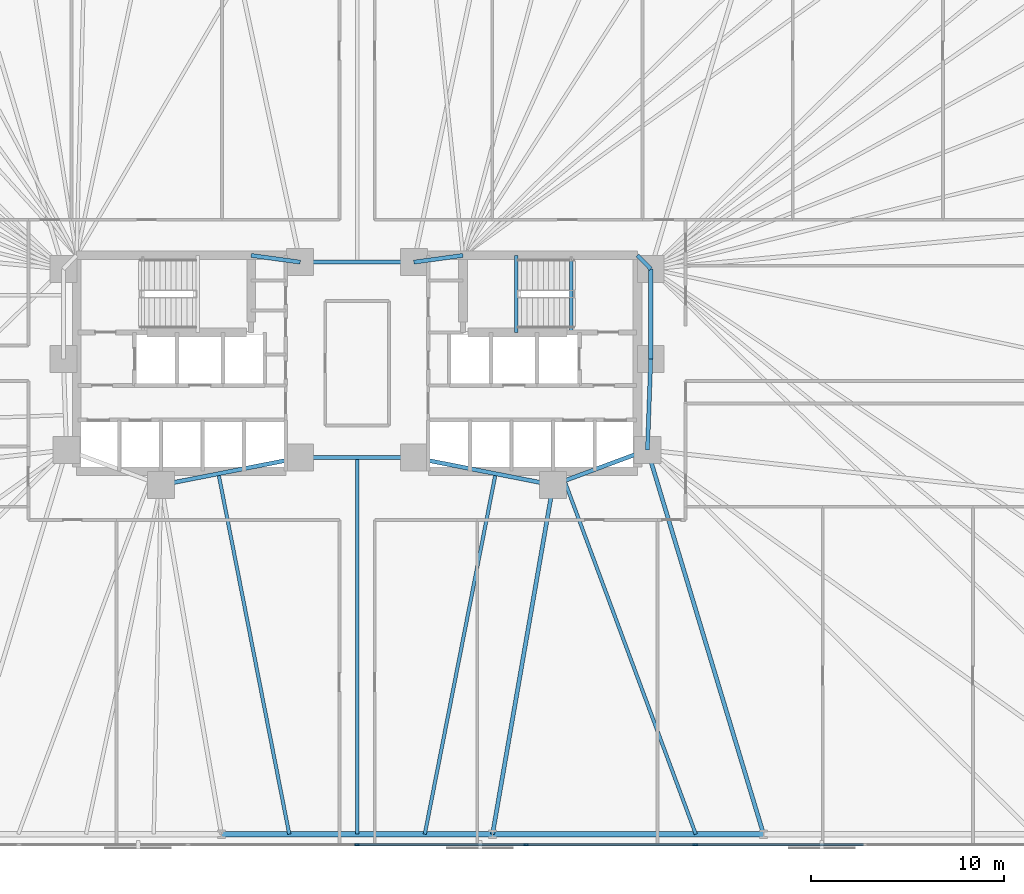
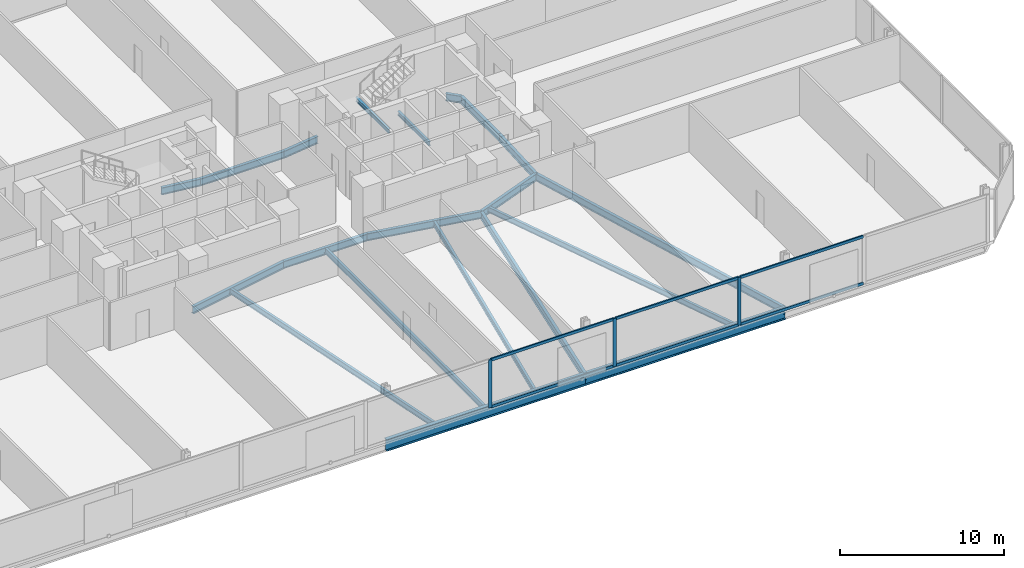
# One storey, part 7 of 17: 20 beams, 9 members, 1 element without a shape of its own.
"""IFC4 building model written with IfcOpenShell, lengths in metres."""

from ifc_helpers import new_model, si_unit, direction, frame, origin, origin_2d, place, context, subcontext, project, spatial, rectangle, i_section, extrude, material, material_profile, profile_set, type_object, element, aggregate, save


model = new_model("IFC4")

# Units and contexts
model_context = context("Model", 3, precision=1e-05, world=origin(), true_north=direction((0.0, 1.0)))
body_context = subcontext(model_context, "Body", "Model", "MODEL_VIEW")
ifc_project = project(units=[si_unit("LENGTHUNIT", "METRE"), si_unit("AREAUNIT", "SQUARE_METRE"), si_unit("VOLUMEUNIT", "CUBIC_METRE"), si_unit("PLANEANGLEUNIT", "RADIAN"), si_unit("MASSUNIT", "GRAM", prefix="KILO")], contexts=[model_context])

# Site, building, storey
site_placement = place(None, origin())
site = spatial("IfcSite", under=ifc_project, at=site_placement, CompositionType="ELEMENT")
building_placement = place(site_placement, origin())
building = spatial("IfcBuilding", under=site, at=building_placement, Name="Menara Jurai Vektor", CompositionType="ELEMENT")
storey_placement = place(building_placement, frame((0.0, 0.0, 37.0)))
storey = spatial("IfcBuildingStorey", under=building, at=storey_placement, Name="L08", CompositionType="ELEMENT", Elevation=37.0)

# Curtain wall, members
ifc_material_1 = material(Name="Anodised Pale Aluminium & Low-E Double Glazing", Category="aluminium")
curtain_wall_type = type_object("IfcCurtainWallType", Name="CW-BLK1", PredefinedType="NOTDEFINED", material=ifc_material_1)
curtain_wall_placement = place(storey_placement, origin())
curtain_wall = element("IfcCurtainWall", 1, at=curtain_wall_placement, inside=storey, type_object=curtain_wall_type, Name="Unitised Curtain Wall L08 F01", PredefinedType="NOTDEFINED")
ifc_material_2 = material(Name="Anodised Pale Aluminium Mullion", Category="aluminium")
ifc_material_profile_1 = material_profile(ifc_material_2, rectangle(XDim=0.094970703125, YDim=0.239990234375, at=origin_2d()), Name="ALU MUL 95x240")
ifc_profile_set_1 = profile_set([ifc_material_profile_1], Name="Anodised Pale Aluminium Mullion")
member_type_1 = type_object("IfcMemberType", Name="CW-BLK1-MUL", PredefinedType="MULLION", material=ifc_profile_set_1)
member_1_placement = place(storey_placement, frame((0.0, -25.0, 0.0), z_axis=(0.0, 0.0, 1.0), x_axis=(0.0, 1.0, 0.0)))
member_1 = element("IfcMember", 2, at=member_1_placement, type_object=member_type_1, Name="CW-01 mullion 5", PredefinedType="MULLION", context=body_context, shape_type="SweptSolid", body=[
    extrude(rectangle(XDim=0.094970703125, YDim=0.239990234375, at=origin_2d()), origin(), (0.0, 0.0, 1.0), 3.574951171875),
])
member_2_placement = place(storey_placement, frame((8.780029296875, -25.0, 0.0), z_axis=(0.0, 0.0, 1.0), x_axis=(0.0, 1.0, 0.0)))
member_2 = element("IfcMember", 3, at=member_2_placement, type_object=member_type_1, Name="CW-01 mullion 6", PredefinedType="MULLION", context=body_context, shape_type="SweptSolid", body=[
    extrude(rectangle(XDim=0.094970703125, YDim=0.239990234375, at=origin_2d()), origin(), (0.0, 0.0, 1.0), 3.574951171875),
])
member_3_placement = place(storey_placement, frame((17.56005859375, -25.0, 0.0), z_axis=(0.0, 0.0, 1.0), x_axis=(0.0, 1.0, 0.0)))
member_3 = element("IfcMember", 4, at=member_3_placement, type_object=member_type_1, Name="CW-01 mullion 7", PredefinedType="MULLION", context=body_context, shape_type="SweptSolid", body=[
    extrude(rectangle(XDim=0.094970703125, YDim=0.239990234375, at=origin_2d()), origin(), (0.0, 0.0, 1.0), 3.574951171875),
])
ifc_material_3 = material(Name="Anodised Pale Aluminium Transom", Category="aluminium")
ifc_material_profile_2 = material_profile(ifc_material_3, rectangle(XDim=0.094970703125, YDim=0.199951171875, at=origin_2d()), Name="ALU TRN 95x200")
ifc_profile_set_2 = profile_set([ifc_material_profile_2], Name="Anodised Pale Aluminium Transom")
member_type_2 = type_object("IfcMemberType", Name="CW-BLK1-TRN", PredefinedType="USERDEFINED", material=ifc_profile_set_2)
member_4_placement = place(storey_placement, frame((0.047607421875, -25.0, 0.047607421875), z_axis=(1.0, 0.0, 0.0), x_axis=(0.0, 1.0, 0.0)))
member_4 = element("IfcMember", 5, at=member_4_placement, type_object=member_type_2, Name="CW-01 transom 5.1", ObjectType="TRANSOM", PredefinedType="USERDEFINED", context=body_context, shape_type="SweptSolid", body=[
    extrude(rectangle(XDim=0.094970703125, YDim=0.199951171875, at=origin_2d()), origin(), (0.0, 0.0, 1.0), 8.684814453125),
])
member_5_placement = place(storey_placement, frame((0.047607421875, -25.0, 3.527587890625), z_axis=(1.0, 0.0, 0.0), x_axis=(0.0, 1.0, 0.0)))
member_5 = element("IfcMember", 6, at=member_5_placement, type_object=member_type_2, Name="CW-01 transom 5.2", ObjectType="TRANSOM", PredefinedType="USERDEFINED", context=body_context, shape_type="SweptSolid", body=[
    extrude(rectangle(XDim=0.094970703125, YDim=0.199951171875, at=origin_2d()), origin(), (0.0, 0.0, 1.0), 8.684814453125),
])
member_6_placement = place(storey_placement, frame((8.827392578125, -25.0, 0.047607421875), z_axis=(1.0, 0.0, 0.0), x_axis=(0.0, 1.0, 0.0)))
member_6 = element("IfcMember", 7, at=member_6_placement, type_object=member_type_2, Name="CW-01 transom 6.1", ObjectType="TRANSOM", PredefinedType="USERDEFINED", context=body_context, shape_type="SweptSolid", body=[
    extrude(rectangle(XDim=0.094970703125, YDim=0.199951171875, at=origin_2d()), origin(), (0.0, 0.0, 1.0), 8.68505859375),
])
member_7_placement = place(storey_placement, frame((8.827392578125, -25.0, 3.527587890625), z_axis=(1.0, 0.0, 0.0), x_axis=(0.0, 1.0, 0.0)))
member_7 = element("IfcMember", 8, at=member_7_placement, type_object=member_type_2, Name="CW-01 transom 6.2", ObjectType="TRANSOM", PredefinedType="USERDEFINED", context=body_context, shape_type="SweptSolid", body=[
    extrude(rectangle(XDim=0.094970703125, YDim=0.199951171875, at=origin_2d()), origin(), (0.0, 0.0, 1.0), 8.68505859375),
])
member_8_placement = place(storey_placement, frame((17.607421875, -25.0, 0.047607421875), z_axis=(1.0, 0.0, 0.0), x_axis=(0.0, 1.0, 0.0)))
member_8 = element("IfcMember", 9, at=member_8_placement, type_object=member_type_2, Name="CW-01 transom 7.1", ObjectType="TRANSOM", PredefinedType="USERDEFINED", context=body_context, shape_type="SweptSolid", body=[
    extrude(rectangle(XDim=0.094970703125, YDim=0.199951171875, at=origin_2d()), origin(), (0.0, 0.0, 1.0), 8.68505859375),
])
member_9_placement = place(storey_placement, frame((17.607421875, -25.0, 3.527587890625), z_axis=(1.0, 0.0, 0.0), x_axis=(0.0, 1.0, 0.0)))
member_9 = element("IfcMember", 10, at=member_9_placement, type_object=member_type_2, Name="CW-01 transom 7.2", ObjectType="TRANSOM", PredefinedType="USERDEFINED", context=body_context, shape_type="SweptSolid", body=[
    extrude(rectangle(XDim=0.094970703125, YDim=0.199951171875, at=origin_2d()), origin(), (0.0, 0.0, 1.0), 8.68505859375),
])
aggregate(curtain_wall, [member_1, member_2, member_3, member_4, member_5, member_6, member_7, member_8, member_9])

# Beams
ifc_material_4 = material(Name="Steel S355", Category="steel")
ifc_material_profile_3 = material_profile(ifc_material_4, i_section(OverallWidth=0.2109375, OverallDepth=0.5390625, WebThickness=0.011962890625, FlangeThickness=0.01904296875, FilletRadius=0.012939453125, at=origin_2d()), Name="UKB 533x210x109")
ifc_profile_set_3 = profile_set([ifc_material_profile_3], Name="Steel S355")
beam_type_1 = type_object("IfcBeamType", Name="STR-BM-533", PredefinedType="BEAM", material=ifc_profile_set_3)
beam_1_placement = place(storey_placement, frame((-5.5, 5.60009765625, -0.494384765625), z_axis=(0.990706818608, -0.136014703483, 0.0), x_axis=(0.136014703483, 0.990706818608, 0.0)))
element("IfcBeam", 11, at=beam_1_placement, inside=storey, type_object=beam_type_1, Name="Core Ring Header Girder L08-CHW-N2", PredefinedType="BEAM", context=body_context, shape_type="SweptSolid", body=[
    extrude(i_section(OverallWidth=0.2109375, OverallDepth=0.5390625, WebThickness=0.011962890625, FlangeThickness=0.01904296875, FilletRadius=0.012939453125, at=origin_2d()), origin(), (0.0, 0.0, 1.0), 2.573974609375),
])
beam_2_placement = place(storey_placement, frame((-10.179931640625, -6.320068359375, -0.494384765625), z_axis=(0.981249044334, 0.192744164614, 0.0), x_axis=(-0.192744164614, 0.981249044334, 0.0)))
element("IfcBeam", 12, at=beam_2_placement, inside=storey, type_object=beam_type_1, Name="Core Ring Header Girder L08-CHW-S2", PredefinedType="BEAM", context=body_context, shape_type="SweptSolid", body=[
    extrude(i_section(OverallWidth=0.2109375, OverallDepth=0.5390625, WebThickness=0.011962890625, FlangeThickness=0.01904296875, FilletRadius=0.012939453125, at=origin_2d()), origin(), (0.0, 0.0, 1.0), 7.3681640625),
])
beam_3_placement = place(storey_placement, frame((2.949951171875, 5.25, -0.494384765625), z_axis=(0.990706818608, 0.136014703483, 0.0), x_axis=(-0.136014703483, 0.990706818608, 0.0)))
element("IfcBeam", 13, at=beam_3_placement, inside=storey, type_object=beam_type_1, Name="Core Ring Header Girder L08-CHE-N1", PredefinedType="BEAM", context=body_context, shape_type="SweptSolid", body=[
    extrude(i_section(OverallWidth=0.2109375, OverallDepth=0.5390625, WebThickness=0.011962890625, FlangeThickness=0.01904296875, FilletRadius=0.012939453125, at=origin_2d()), origin(), (0.0, 0.0, 1.0), 2.573974609375),
])
beam_4_placement = place(storey_placement, frame((14.56005859375, 5.60009765625, -0.494384765625), z_axis=(0.701871936926, -0.712303154672, 0.0), x_axis=(0.712303154672, 0.701871936926, 0.0)))
element("IfcBeam", 14, at=beam_4_placement, inside=storey, type_object=beam_type_1, Name="Core Ring Header Girder L08-CHE-N2", PredefinedType="BEAM", context=body_context, shape_type="SweptSolid", body=[
    extrude(i_section(OverallWidth=0.2109375, OverallDepth=0.5390625, WebThickness=0.011962890625, FlangeThickness=0.01904296875, FilletRadius=0.012939453125, at=origin_2d()), origin(), (0.0, 0.0, 1.0), 0.98291015625),
])
beam_5_placement = place(storey_placement, frame((15.25, 0.219970703125, -0.494384765625), z_axis=(0.0, 1.0, 0.0), x_axis=(-1.0, 0.0, 0.0)))
element("IfcBeam", 15, at=beam_5_placement, inside=storey, type_object=beam_type_1, Name="Core Ring Header Girder L08-CHE-E1", PredefinedType="BEAM", context=body_context, shape_type="SweptSolid", body=[
    extrude(i_section(OverallWidth=0.2109375, OverallDepth=0.5390625, WebThickness=0.011962890625, FlangeThickness=0.01904296875, FilletRadius=0.012939453125, at=origin_2d()), origin(), (0.0, 0.0, 1.0), 4.679931640625),
])
beam_6_placement = place(storey_placement, frame((15.080078125, -4.5, -0.494384765625), z_axis=(0.035977314146, 0.999352606874, 0.0), x_axis=(-0.999352606874, 0.035977314146, 0.0)))
element("IfcBeam", 16, at=beam_6_placement, inside=storey, type_object=beam_type_1, Name="Core Ring Header Girder L08-CHE-E2", PredefinedType="BEAM", context=body_context, shape_type="SweptSolid", body=[
    extrude(i_section(OverallWidth=0.2109375, OverallDepth=0.5390625, WebThickness=0.011962890625, FlangeThickness=0.01904296875, FilletRadius=0.012939453125, at=origin_2d()), origin(), (0.0, 0.0, 1.0), 4.72314453125),
])
beam_7_placement = place(storey_placement, frame((10.179931640625, -6.320068359375, -0.494384765625), z_axis=(0.937424400887, 0.348188874925, 0.0), x_axis=(-0.348188874925, 0.937424400887, 0.0)))
element("IfcBeam", 17, at=beam_7_placement, inside=storey, type_object=beam_type_1, Name="Core Ring Header Girder L08-CHE-S1", PredefinedType="BEAM", context=body_context, shape_type="SweptSolid", body=[
    extrude(i_section(OverallWidth=0.2109375, OverallDepth=0.5390625, WebThickness=0.011962890625, FlangeThickness=0.01904296875, FilletRadius=0.012939453125, at=origin_2d()), origin(), (0.0, 0.0, 1.0), 5.227294921875),
])
beam_8_placement = place(storey_placement, frame((2.949951171875, -4.89990234375, -0.494384765625), z_axis=(0.981249044334, -0.192744164614, 0.0), x_axis=(0.192744164614, 0.981249044334, 0.0)))
element("IfcBeam", 18, at=beam_8_placement, inside=storey, type_object=beam_type_1, Name="Core Ring Header Girder L08-CHE-S2", PredefinedType="BEAM", context=body_context, shape_type="SweptSolid", body=[
    extrude(i_section(OverallWidth=0.2109375, OverallDepth=0.5390625, WebThickness=0.011962890625, FlangeThickness=0.01904296875, FilletRadius=0.012939453125, at=origin_2d()), origin(), (0.0, 0.0, 1.0), 7.3681640625),
])
for number, where, z_axis, x_axis, name in (
    (19, (-2.949951171875, -4.89990234375, -0.494384765625), (1.0, 0.0, 0.0), (0.0, 1.0, 0.0), "Core Ring Header Girder L08-CC-1"),
    (20, (-2.949951171875, 5.25, -0.494384765625), (1.0, 0.0, 0.0), (0.0, 1.0, 0.0), "Core Ring Header Girder L08-CC-2"),
):
    element("IfcBeam", number, at=place(storey_placement, frame(where, z_axis=z_axis, x_axis=x_axis)), inside=storey, type_object=beam_type_1, Name=name, PredefinedType="BEAM", context=body_context, shape_type="SweptSolid", body=[
        extrude(i_section(OverallWidth=0.2109375, OverallDepth=0.5390625, WebThickness=0.011962890625, FlangeThickness=0.01904296875, FilletRadius=0.012939453125, at=origin_2d()), origin(), (0.0, 0.0, 1.0), 5.89990234375),
    ])
beam_9_placement = place(storey_placement, frame((7.03564453125, -24.449951171875, -0.494384765625), z_axis=(0.170880325642, 0.985291791455, 0.0), x_axis=(-0.985291791455, 0.170880325642, 0.0)))
element("IfcBeam", 21, at=beam_9_placement, inside=storey, type_object=beam_type_1, Name="Radial Floor Girder L08-S4", PredefinedType="BEAM", context=body_context, shape_type="SweptSolid", body=[
    extrude(i_section(OverallWidth=0.2109375, OverallDepth=0.5390625, WebThickness=0.011962890625, FlangeThickness=0.01904296875, FilletRadius=0.012939453125, at=origin_2d()), origin(), (0.0, 0.0, 1.0), 18.400634765625),
])
beam_10_placement = place(storey_placement, frame((21.106689453125, -24.449951171875, -0.494384765625), z_axis=(-0.289179812203, 0.957274796604, 0.0), x_axis=(-0.957274796604, -0.289179812203, 0.0)))
element("IfcBeam", 22, at=beam_10_placement, inside=storey, type_object=beam_type_1, Name="Radial Floor Girder L08-S5", PredefinedType="BEAM", context=body_context, shape_type="SweptSolid", body=[
    extrude(i_section(OverallWidth=0.2109375, OverallDepth=0.5390625, WebThickness=0.011962890625, FlangeThickness=0.01904296875, FilletRadius=0.012939453125, at=origin_2d()), origin(), (0.0, 0.0, 1.0), 20.84033203125),
])
ifc_material_profile_4 = material_profile(ifc_material_4, i_section(OverallWidth=0.178955078125, OverallDepth=0.408935546875, WebThickness=0.009033203125, FlangeThickness=0.013916015625, FilletRadius=0.010009765625, at=origin_2d()), Name="UKB 406x178x67")
ifc_profile_set_4 = profile_set([ifc_material_profile_4], Name="Steel S355")
beam_type_2 = type_object("IfcBeamType", Name="STR-JS-406", PredefinedType="JOIST", material=ifc_profile_set_4)
beam_11_placement = place(storey_placement, frame((-3.517822265625, -24.449951171875, -0.429443359375), z_axis=(-0.192723076671, 0.981253186348, 0.0), x_axis=(-0.981253186348, -0.192723076671, 0.0)))
element("IfcBeam", 23, at=beam_11_placement, inside=storey, type_object=beam_type_2, Name="Radial Secondary Floor Joist L08-JS04", PredefinedType="JOIST", context=body_context, shape_type="SweptSolid", body=[
    extrude(i_section(OverallWidth=0.178955078125, OverallDepth=0.408935546875, WebThickness=0.009033203125, FlangeThickness=0.013916015625, FilletRadius=0.010009765625, at=origin_2d()), origin(), (0.0, 0.0, 1.0), 19.07421875),
])
beam_12_placement = place(storey_placement, frame((0.0, -24.449951171875, -0.429443359375), z_axis=(0.0, 1.0, 0.0), x_axis=(-1.0, 0.0, 0.0)))
element("IfcBeam", 24, at=beam_12_placement, inside=storey, type_object=beam_type_2, Name="Radial Secondary Floor Joist L08-JS05", PredefinedType="JOIST", context=body_context, shape_type="SweptSolid", body=[
    extrude(i_section(OverallWidth=0.178955078125, OverallDepth=0.408935546875, WebThickness=0.009033203125, FlangeThickness=0.013916015625, FilletRadius=0.010009765625, at=origin_2d()), origin(), (0.0, 0.0, 1.0), 19.550048828125),
])
beam_13_placement = place(storey_placement, frame((3.517822265625, -24.449951171875, -0.429443359375), z_axis=(0.192723076671, 0.981253186348, 0.0), x_axis=(-0.981253186348, 0.192723076671, 0.0)))
element("IfcBeam", 25, at=beam_13_placement, inside=storey, type_object=beam_type_2, Name="Radial Secondary Floor Joist L08-JS06", PredefinedType="JOIST", context=body_context, shape_type="SweptSolid", body=[
    extrude(i_section(OverallWidth=0.178955078125, OverallDepth=0.408935546875, WebThickness=0.009033203125, FlangeThickness=0.013916015625, FilletRadius=0.010009765625, at=origin_2d()), origin(), (0.0, 0.0, 1.0), 19.07421875),
])
beam_14_placement = place(storey_placement, frame((17.5888671875, -24.449951171875, -0.429443359375), z_axis=(-0.348179014223, 0.937428063403, 0.0), x_axis=(-0.937428063403, -0.348179014223, 0.0)))
element("IfcBeam", 26, at=beam_14_placement, inside=storey, type_object=beam_type_2, Name="Radial Secondary Floor Joist L08-JS07", PredefinedType="JOIST", context=body_context, shape_type="SweptSolid", body=[
    extrude(i_section(OverallWidth=0.178955078125, OverallDepth=0.408935546875, WebThickness=0.009033203125, FlangeThickness=0.013916015625, FilletRadius=0.010009765625, at=origin_2d()), origin(), (0.0, 0.0, 1.0), 19.5751953125),
])
ifc_material_profile_5 = material_profile(ifc_material_4, i_section(OverallWidth=0.1650390625, OverallDepth=0.302978515625, WebThickness=0.006103515625, FlangeThickness=0.010009765625, FilletRadius=0.009033203125, at=origin_2d()), Name="UKB 305x165x40")
ifc_profile_set_5 = profile_set([ifc_material_profile_5], Name="Steel S355")
beam_type_3 = type_object("IfcBeamType", Name="STR-LN-305", PredefinedType="LINTEL", material=ifc_profile_set_5)
beam_15_placement = place(storey_placement, frame((11.1201171875, 1.60009765625, -0.37646484375), z_axis=(0.0, 1.0, 0.0), x_axis=(-1.0, 0.0, 0.0)))
element("IfcBeam", 27, at=beam_15_placement, inside=storey, type_object=beam_type_3, Name="Stair Well Floor Trimmer ST2 L08", PredefinedType="LINTEL", context=body_context, shape_type="SweptSolid", body=[
    extrude(i_section(OverallWidth=0.1650390625, OverallDepth=0.302978515625, WebThickness=0.006103515625, FlangeThickness=0.010009765625, FilletRadius=0.009033203125, at=origin_2d()), origin(), (0.0, 0.0, 1.0), 3.81982421875),
])
beam_16_placement = place(storey_placement, frame((8.27001953125, 1.60009765625, 1.548583984375), z_axis=(0.0, 1.0, 0.0), x_axis=(-1.0, 0.0, 0.0)))
element("IfcBeam", 28, at=beam_16_placement, inside=storey, type_object=beam_type_3, Name="Stair Half-Landing Nosing Trimmer ST2-1 L08", PredefinedType="LINTEL", context=body_context, shape_type="SweptSolid", body=[
    extrude(i_section(OverallWidth=0.1650390625, OverallDepth=0.302978515625, WebThickness=0.006103515625, FlangeThickness=0.010009765625, FilletRadius=0.009033203125, at=origin_2d()), origin(), (0.0, 0.0, 1.0), 4.0),
])
ifc_material_5 = material(Name="Steel S460", Category="steel")
ifc_material_profile_6 = material_profile(ifc_material_5, i_section(OverallWidth=0.2939453125, OverallDepth=0.85107421875, WebThickness=0.01611328125, FlangeThickness=0.027099609375, FilletRadius=0.01806640625, at=origin_2d()), Name="UKB 838x292x226")
ifc_profile_set_6 = profile_set([ifc_material_profile_6], Name="Steel S460")
beam_type_4 = type_object("IfcBeamType", Name="STR-SP-838", PredefinedType="SPANDREL", material=ifc_profile_set_6)
beam_17_placement = place(storey_placement, frame((-7.03564453125, -24.449951171875, -0.650390625), z_axis=(1.0, 0.0, 0.0), x_axis=(0.0, 1.0, 0.0)))
element("IfcBeam", 29, at=beam_17_placement, inside=storey, type_object=beam_type_4, Name="Exoskeleton Spandrel Beam L08-03", PredefinedType="SPANDREL", context=body_context, shape_type="SweptSolid", body=[
    extrude(i_section(OverallWidth=0.2939453125, OverallDepth=0.85107421875, WebThickness=0.01611328125, FlangeThickness=0.027099609375, FilletRadius=0.01806640625, at=origin_2d()), origin(), (0.0, 0.0, 1.0), 14.0712890625),
])
beam_18_placement = place(storey_placement, frame((7.03564453125, -24.449951171875, -0.650390625), z_axis=(1.0, 0.0, 0.0), x_axis=(0.0, 1.0, 0.0)))
element("IfcBeam", 30, at=beam_18_placement, inside=storey, type_object=beam_type_4, Name="Exoskeleton Spandrel Beam L08-04", PredefinedType="SPANDREL", context=body_context, shape_type="SweptSolid", body=[
    extrude(i_section(OverallWidth=0.2939453125, OverallDepth=0.85107421875, WebThickness=0.01611328125, FlangeThickness=0.027099609375, FilletRadius=0.01806640625, at=origin_2d()), origin(), (0.0, 0.0, 1.0), 14.071044921875),
])

save(model, "model.ifc")
